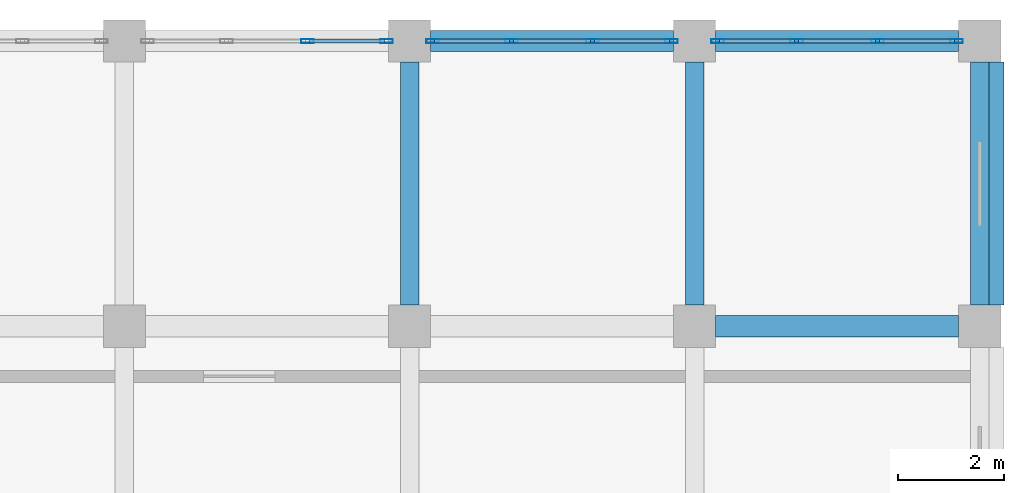
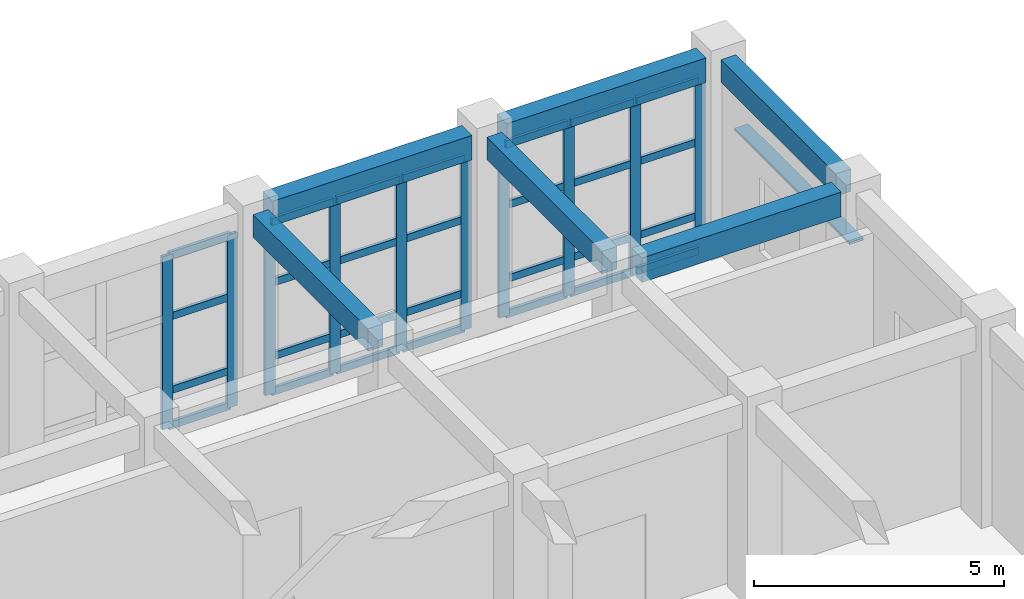
# One storey, part 54 of 93: 39 members, 6 beams, 3 elements without a shape of their own.
"""IFC4 building model written with IfcOpenShell, lengths in metres."""

import ifcopenshell
import ifcopenshell.guid

model = None  # the IFC model being written
_history = None  # IfcOwnerHistory: only IFC2X3 demands one
_inside = {}  # id of a spatial element -> (the spatial element, [elements in it])
_under = {}  # id of a project, library or spatial element -> (it, [spatial elements below it])
_declared = {}  # id of a project -> (the project, [libraries it declares])
_typed = {}  # id of a type object -> (the type object, [elements of that type])
_made_of = {}  # id of a material, layer set ... -> (it, [elements and type objects made of it])


def new_model(schema):
    """Start an empty IFC model of exactly this schema.

    Asked for "IFC4X3", IfcOpenShell would pick the latest addendum, in which some entities
    have other attributes; the version numbers below select the first issue.
    IFC2X3 requires an IfcOwnerHistory on every rooted entity: one is made here for all.
    """
    global model, _history
    if schema == "IFC4X3":
        model = ifcopenshell.file(schema_version=(4, 3, 0, 0))
    else:
        model = ifcopenshell.file(schema=schema)
    _inside.clear()
    _under.clear()
    _declared.clear()
    _typed.clear()
    _made_of.clear()
    _history = None
    if model.schema == "IFC2X3":
        org = make("IfcOrganization", Name="unknown")
        user = make(
            "IfcPersonAndOrganization",
            ThePerson=make("IfcPerson", FamilyName="unknown"),
            TheOrganization=org,
        )
        app = make(
            "IfcApplication",
            ApplicationDeveloper=org,
            Version="unknown",
            ApplicationFullName="unknown",
            ApplicationIdentifier="unknown",
        )
        _history = make(
            "IfcOwnerHistory",
            OwningUser=user,
            OwningApplication=app,
            ChangeAction="ADDED",
            CreationDate=0,
        )
    return model


def make(cls, **values):
    """One entity of the class cls with the attributes given. An attribute that is None is left unset."""
    return model.create_entity(
        cls, **{name: value for name, value in values.items() if value is not None}
    )


def rooted(cls, **values):
    """An entity with a GlobalId (a new one), such as an element, a storey or a relation."""
    return make(cls, GlobalId=ifcopenshell.guid.new(), OwnerHistory=_history, **values)


def si_unit(unit_type, name, prefix=None):
    """IfcSIUnit, for example si_unit("LENGTHUNIT", "METRE", prefix="MILLI")."""
    return make("IfcSIUnit", UnitType=unit_type, Prefix=prefix, Name=name)


def assignment(units):
    """IfcUnitAssignment: the units of a project."""
    return None if units is None else make("IfcUnitAssignment", Units=units)


def point(xyz):
    """IfcCartesianPoint."""
    return None if xyz is None else make("IfcCartesianPoint", Coordinates=xyz)


def direction(xyz):
    """IfcDirection."""
    return None if xyz is None else make("IfcDirection", DirectionRatios=xyz)


def frame(location, z_axis=None, x_axis=None):
    """IfcAxis2Placement3D, a coordinate frame: its origin and axes. An axis left out is left unset."""
    return make(
        "IfcAxis2Placement3D",
        Location=point(location),
        Axis=direction(z_axis),
        RefDirection=direction(x_axis),
    )


def frame_2d(location, x_axis=None):
    """IfcAxis2Placement2D, a coordinate frame in the plane: its origin and x axis."""
    return make(
        "IfcAxis2Placement2D", Location=point(location), RefDirection=direction(x_axis)
    )


def origin():
    """The frame at (0, 0, 0) with its axes left unset."""
    return frame((0.0, 0.0, 0.0))


def origin_2d():
    """The frame at (0, 0) in the plane with its x axis left unset."""
    return frame_2d((0.0, 0.0))


def place(relative_to, where):
    """IfcLocalPlacement: puts the frame where relative to a parent placement (None: the world)."""
    return make(
        "IfcLocalPlacement", PlacementRelTo=relative_to, RelativePlacement=where
    )


def context(
    kind, dimensions, precision=None, world=None, true_north=None, identifier=None
):
    """IfcGeometricRepresentationContext, for example the 3D "Model" context."""
    return make(
        "IfcGeometricRepresentationContext",
        ContextIdentifier=identifier,
        ContextType=kind,
        CoordinateSpaceDimension=dimensions,
        Precision=precision,
        WorldCoordinateSystem=world,
        TrueNorth=true_north,
    )


def subcontext(parent, identifier, kind, view, scale=None):
    """IfcGeometricRepresentationSubContext, for example "Body" below "Model"."""
    return make(
        "IfcGeometricRepresentationSubContext",
        ContextIdentifier=identifier,
        ContextType=kind,
        ParentContext=parent,
        TargetScale=scale,
        TargetView=view,
    )


def project(units=None, contexts=None):
    """IfcProject with its units and contexts."""
    return rooted(
        "IfcProject",
        Name="project",
        RepresentationContexts=contexts,
        UnitsInContext=assignment(units),
    )


def spatial(cls, under=None, at=None, **own):
    """A site, building, storey or space (cls), placed at a placement, below another one or the project."""
    s = rooted(cls, ObjectPlacement=at, **own)
    if under is not None:
        _under.setdefault(under.id(), (under, []))[1].append(s)
    return s


def profile(cls, at=None, kind="AREA", **sizes):
    """A parametric profile (cls). Its sizes go by their IFC names, for example OverallWidth=200.0."""
    return make(cls, ProfileType=kind, Position=at, **sizes)


def rectangle(**sizes):
    """IfcRectangleProfileDef."""
    return profile("IfcRectangleProfileDef", **sizes)


def hollow_rectangle(**sizes):
    """IfcRectangleHollowProfileDef."""
    return profile("IfcRectangleHollowProfileDef", **sizes)


def extrude(swept, where, along, depth):
    """IfcExtrudedAreaSolid: the profile swept, set in the frame where, extruded along a direction by depth."""
    return make(
        "IfcExtrudedAreaSolid",
        SweptArea=swept,
        Position=where,
        ExtrudedDirection=direction(along),
        Depth=depth,
    )


def shape(context_of_items, identifier, shape_type, items):
    """IfcShapeRepresentation: the items that make up one representation, for example the "Body"."""
    return make(
        "IfcShapeRepresentation",
        ContextOfItems=context_of_items,
        RepresentationIdentifier=identifier,
        RepresentationType=shape_type,
        Items=items,
    )


def material(Name=None, Category=None):
    """IfcMaterial."""
    return make("IfcMaterial", Name=Name, Category=Category)


def layer(
    of_material, thickness, ventilated=None, Name=None, Category=None, Priority=None
):
    """IfcMaterialLayer: one layer of a wall or slab, of a material (None: an air gap)."""
    return make(
        "IfcMaterialLayer",
        Material=of_material,
        LayerThickness=thickness,
        IsVentilated=ventilated,
        Name=Name,
        Category=Category,
        Priority=Priority,
    )


def layer_set(layers, Name=None):
    """IfcMaterialLayerSet."""
    return make("IfcMaterialLayerSet", MaterialLayers=layers, LayerSetName=Name)


def material_profile(
    of_material, cross_section, Name=None, Category=None, Priority=None
):
    """IfcMaterialProfile: a cross section and its material."""
    return make(
        "IfcMaterialProfile",
        Name=Name,
        Material=of_material,
        Profile=cross_section,
        Priority=Priority,
        Category=Category,
    )


def profile_set(profiles, Name=None, composite=None):
    """IfcMaterialProfileSet."""
    return make(
        "IfcMaterialProfileSet",
        Name=Name,
        MaterialProfiles=profiles,
        CompositeProfile=composite,
    )


def made_of(thing, what):
    """Note that an element or type object is made of a material, layer set ...; save() writes the relation."""
    if what is not None:
        _made_of.setdefault(what.id(), (what, []))[1].append(thing)
    return thing


def type_object(cls, material=None, **own):
    """A type object (cls), such as IfcWallType, which elements share."""
    return made_of(rooted(cls, **own), material)


def element(
    cls,
    number,
    at=None,
    inside=None,
    cuts=None,
    type_object=None,
    material=None,
    context=None,
    identifier="Body",
    shape_type=None,
    held_by="IfcProductDefinitionShape",
    body=None,
    shapes=None,
    **own,
):
    """One element of the class cls, such as IfcWall. Its Tag is "e" and its number.

    at: its placement. inside: the storey or other place that contains it. cuts: it is an
    opening in that element (IfcRelVoidsElement). A single representation is given by context,
    identifier, shape_type and body (its items); several are given by shapes. held_by: the class
    of the entity that holds the representations. save() writes the other relations.
    """
    e = rooted(cls, Tag="e%d" % number, ObjectPlacement=at, **own)
    if body is not None:
        shapes = [shape(context, identifier, shape_type, body)]
    if shapes is not None:
        e.Representation = make(held_by, Representations=shapes)
    if inside is not None:
        _inside.setdefault(inside.id(), (inside, []))[1].append(e)
    if cuts is not None:
        rooted(
            "IfcRelVoidsElement", RelatingBuildingElement=cuts, RelatedOpeningElement=e
        )
    if type_object is not None:
        _typed.setdefault(type_object.id(), (type_object, []))[1].append(e)
    return made_of(e, material)


def aggregate(whole, parts):
    """IfcRelAggregates: a whole, such as a stair, and the parts it consists of."""
    return rooted("IfcRelAggregates", RelatingObject=whole, RelatedObjects=parts)


def save(model, path):
    """Write the relations noted so far, then the file.

    IfcRelAggregates (storeys below a building ...), IfcRelContainedInSpatialStructure (elements
    in a storey), IfcRelDefinesByType, IfcRelAssociatesMaterial and IfcRelDeclares: one each for
    every whole, place, type object, material and project.
    """
    for whole, parts in _under.values():
        aggregate(whole, parts)
    for where, things in _inside.values():
        rooted(
            "IfcRelContainedInSpatialStructure",
            RelatedElements=things,
            RelatingStructure=where,
        )
    for kind, things in _typed.values():
        rooted("IfcRelDefinesByType", RelatedObjects=things, RelatingType=kind)
    for what, things in _made_of.values():
        rooted("IfcRelAssociatesMaterial", RelatedObjects=things, RelatingMaterial=what)
    for by, libraries in _declared.values():
        rooted("IfcRelDeclares", RelatingContext=by, RelatedDefinitions=libraries)
    model.write(path)


model = new_model("IFC4")

# Units and contexts
model_context = context("Model", 3, precision=1e-05, world=origin(), true_north=direction((0.0, 1.0)))
body_context = subcontext(model_context, "Body", "Model", "MODEL_VIEW")
ifc_project = project(units=[si_unit("LENGTHUNIT", "METRE"), si_unit("AREAUNIT", "SQUARE_METRE"), si_unit("VOLUMEUNIT", "CUBIC_METRE"), si_unit("PLANEANGLEUNIT", "RADIAN"), si_unit("MASSUNIT", "GRAM", prefix="KILO")], contexts=[model_context])

# Site, building, storey
site_placement = place(None, origin())
site = spatial("IfcSite", under=ifc_project, at=site_placement, CompositionType="ELEMENT")
building_placement = place(site_placement, origin())
building = spatial("IfcBuilding", under=site, at=building_placement, Name="Krzemoval Escarpment Law Courts", CompositionType="ELEMENT")
storey_placement = place(building_placement, frame((0.0, 0.0, 10.199951171875)))
storey = spatial("IfcBuildingStorey", under=building, at=storey_placement, Name="L02", CompositionType="ELEMENT", Elevation=10.199951171875)

# Beams
ifc_material_1 = material(Name="Concrete C40/50", Category="concrete")
ifc_material_profile_1 = material_profile(ifc_material_1, rectangle(XDim=0.35009765625, YDim=0.550048828125, at=origin_2d()), Name="RCB 350x550")
ifc_profile_set_1 = profile_set([ifc_material_profile_1], Name="Concrete C40/50")
beam_type_1 = type_object("IfcBeamType", Name="BM-RC-350x550", PredefinedType="BEAM", material=ifc_profile_set_1)
for number, where, z_axis, x_axis, name in (
    (1, (162.0, 113.800048828125, 4.545166015625), (0.0, 1.0, 0.0), (-1.0, 0.0, 0.0), "Beam FG-L02-2002"),
    (2, (167.39990234375, 113.800048828125, 4.545166015625), (0.0, 1.0, 0.0), (-1.0, 0.0, 0.0), "Beam FG-L02-2006"),
    (3, (172.800048828125, 113.800048828125, 4.545166015625), (0.0, 1.0, 0.0), (-1.0, 0.0, 0.0), "Beam FG-L02-2010"),
):
    element("IfcBeam", number, at=place(storey_placement, frame(where, z_axis=z_axis, x_axis=x_axis)), inside=storey, type_object=beam_type_1, Name=name, PredefinedType="BEAM", context=body_context, shape_type="SweptSolid", body=[
        extrude(rectangle(XDim=0.35009765625, YDim=0.550048828125, at=origin_2d()), origin(), (0.0, 0.0, 1.0), 4.599853515625),
    ])
ifc_material_2 = material(Name="Concrete C40/50", Category="concrete")
ifc_material_profile_2 = material_profile(ifc_material_2, rectangle(XDim=0.39990234375, YDim=0.60009765625, at=origin_2d()), Name="RCB 400x600")
ifc_profile_set_2 = profile_set([ifc_material_profile_2], Name="Concrete C40/50")
beam_type_2 = type_object("IfcBeamType", Name="BM-RC-400x600", PredefinedType="BEAM", material=ifc_profile_set_2)
beam_1_placement = place(storey_placement, frame((167.800048828125, 113.39990234375, 4.52001953125), z_axis=(1.0, 0.0, 0.0), x_axis=(0.0, 1.0, 0.0)))
element("IfcBeam", 4, at=beam_1_placement, inside=storey, type_object=beam_type_2, Name="Beam FG-L02-1845", PredefinedType="BEAM", context=body_context, shape_type="SweptSolid", body=[
    extrude(rectangle(XDim=0.39990234375, YDim=0.60009765625, at=origin_2d()), origin(), (0.0, 0.0, 1.0), 4.599853515625),
])
beam_2_placement = place(storey_placement, frame((162.39990234375, 118.800048828125, 4.52001953125), z_axis=(1.0, 0.0, 0.0), x_axis=(0.0, 1.0, 0.0)))
element("IfcBeam", 5, at=beam_2_placement, inside=storey, type_object=beam_type_2, Name="Beam FG-L02-1851", PredefinedType="BEAM", context=body_context, shape_type="SweptSolid", body=[
    extrude(rectangle(XDim=0.39990234375, YDim=0.60009765625, at=origin_2d()), origin(), (0.0, 0.0, 1.0), 4.60009765625),
])
beam_3_placement = place(storey_placement, frame((167.800048828125, 118.800048828125, 4.52001953125), z_axis=(1.0, 0.0, 0.0), x_axis=(0.0, 1.0, 0.0)))
element("IfcBeam", 6, at=beam_3_placement, inside=storey, type_object=beam_type_2, Name="Beam FG-L02-1852", PredefinedType="BEAM", context=body_context, shape_type="SweptSolid", body=[
    extrude(rectangle(XDim=0.39990234375, YDim=0.60009765625, at=origin_2d()), origin(), (0.0, 0.0, 1.0), 4.599853515625),
])

# Curtain wall, members
ifc_material_3 = material(Name="Aluminium 6063-T6", Category="aluminium")
ifc_layer = layer(ifc_material_3, 0.239990234375)
ifc_layer_set = layer_set([ifc_layer], Name="Aluminium 6063-T6")
curtain_wall_type = type_object("IfcCurtainWallType", Name="CW-CHMB-4800", PredefinedType="USERDEFINED", material=ifc_layer_set)
curtain_wall_1_placement = place(storey_placement, origin())
curtain_wall_1 = element("IfcCurtainWall", 7, at=curtain_wall_1_placement, inside=storey, type_object=curtain_wall_type, Name="Unitised Curtain Wall FCW-L02-089", ObjectType="UNITISED_CURTAIN_WALL", PredefinedType="USERDEFINED")
ifc_material_4 = material(Name="Aluminium 6063-T6", Category="aluminium")
ifc_material_profile_3 = material_profile(ifc_material_4, hollow_rectangle(XDim=0.074951171875, YDim=0.239990234375, WallThickness=0.0048828125, at=origin_2d()), Name="ALU M75x240")
ifc_profile_set_3 = profile_set([ifc_material_profile_3], Name="Aluminium 6063-T6")
member_type_1 = type_object("IfcMemberType", Name="CWM-75x240", PredefinedType="MULLION", material=ifc_profile_set_3)
member_1_placement = place(storey_placement, frame((160.066650390625, 118.800048828125, 0.0), z_axis=(0.0, 0.0, 1.0), x_axis=(0.0, 1.0, 0.0)))
member_1 = element("IfcMember", 8, at=member_1_placement, type_object=member_type_1, Name="FCW-L02-089 mullion 3", PredefinedType="MULLION", context=body_context, shape_type="SweptSolid", body=[
    extrude(hollow_rectangle(XDim=0.074951171875, YDim=0.239990234375, WallThickness=0.0048828125, at=origin_2d()), origin(), (0.0, 0.0, 1.0), 4.219970703125),
])
member_2_placement = place(storey_placement, frame((161.5625, 118.800048828125, 0.0), z_axis=(0.0, 0.0, 1.0), x_axis=(0.0, 1.0, 0.0)))
member_2 = element("IfcMember", 9, at=member_2_placement, type_object=member_type_1, Name="FCW-L02-089 mullion 4", PredefinedType="MULLION", context=body_context, shape_type="SweptSolid", body=[
    extrude(hollow_rectangle(XDim=0.074951171875, YDim=0.239990234375, WallThickness=0.0048828125, at=origin_2d()), origin(), (0.0, 0.0, 1.0), 4.219970703125),
])

curtain_wall_2_placement = place(storey_placement, origin())
curtain_wall_2 = element("IfcCurtainWall", 10, at=curtain_wall_2_placement, inside=storey, type_object=curtain_wall_type, Name="Unitised Curtain Wall FCW-L02-090", ObjectType="UNITISED_CURTAIN_WALL", PredefinedType="USERDEFINED")
member_3_placement = place(storey_placement, frame((162.4375, 118.800048828125, 0.0), z_axis=(0.0, 0.0, 1.0), x_axis=(0.0, 1.0, 0.0)))
member_3 = element("IfcMember", 11, at=member_3_placement, type_object=member_type_1, Name="FCW-L02-090 mullion 1", PredefinedType="MULLION", context=body_context, shape_type="SweptSolid", body=[
    extrude(hollow_rectangle(XDim=0.074951171875, YDim=0.239990234375, WallThickness=0.0048828125, at=origin_2d()), origin(), (0.0, 0.0, 1.0), 4.219970703125),
])
member_4_placement = place(storey_placement, frame((163.933349609375, 118.800048828125, 0.0), z_axis=(0.0, 0.0, 1.0), x_axis=(0.0, 1.0, 0.0)))
member_4 = element("IfcMember", 12, at=member_4_placement, type_object=member_type_1, Name="FCW-L02-090 mullion 2", PredefinedType="MULLION", context=body_context, shape_type="SweptSolid", body=[
    extrude(hollow_rectangle(XDim=0.074951171875, YDim=0.239990234375, WallThickness=0.0048828125, at=origin_2d()), origin(), (0.0, 0.0, 1.0), 4.219970703125),
])
member_5_placement = place(storey_placement, frame((165.466552734375, 118.800048828125, 0.0), z_axis=(0.0, 0.0, 1.0), x_axis=(0.0, 1.0, 0.0)))
member_5 = element("IfcMember", 13, at=member_5_placement, type_object=member_type_1, Name="FCW-L02-090 mullion 3", PredefinedType="MULLION", context=body_context, shape_type="SweptSolid", body=[
    extrude(hollow_rectangle(XDim=0.074951171875, YDim=0.239990234375, WallThickness=0.0048828125, at=origin_2d()), origin(), (0.0, 0.0, 1.0), 4.219970703125),
])
member_6_placement = place(storey_placement, frame((166.96240234375, 118.800048828125, 0.0), z_axis=(0.0, 0.0, 1.0), x_axis=(0.0, 1.0, 0.0)))
member_6 = element("IfcMember", 14, at=member_6_placement, type_object=member_type_1, Name="FCW-L02-090 mullion 4", PredefinedType="MULLION", context=body_context, shape_type="SweptSolid", body=[
    extrude(hollow_rectangle(XDim=0.074951171875, YDim=0.239990234375, WallThickness=0.0048828125, at=origin_2d()), origin(), (0.0, 0.0, 1.0), 4.219970703125),
])

curtain_wall_3_placement = place(storey_placement, origin())
curtain_wall_3 = element("IfcCurtainWall", 15, at=curtain_wall_3_placement, inside=storey, type_object=curtain_wall_type, Name="Unitised Curtain Wall FCW-L02-091", ObjectType="UNITISED_CURTAIN_WALL", PredefinedType="USERDEFINED")
member_7_placement = place(storey_placement, frame((167.83740234375, 118.800048828125, 0.0), z_axis=(0.0, 0.0, 1.0), x_axis=(0.0, 1.0, 0.0)))
member_7 = element("IfcMember", 16, at=member_7_placement, type_object=member_type_1, Name="FCW-L02-091 mullion 1", PredefinedType="MULLION", context=body_context, shape_type="SweptSolid", body=[
    extrude(hollow_rectangle(XDim=0.074951171875, YDim=0.239990234375, WallThickness=0.0048828125, at=origin_2d()), origin(), (0.0, 0.0, 1.0), 4.219970703125),
])
member_8_placement = place(storey_placement, frame((169.333251953125, 118.800048828125, 0.0), z_axis=(0.0, 0.0, 1.0), x_axis=(0.0, 1.0, 0.0)))
member_8 = element("IfcMember", 17, at=member_8_placement, type_object=member_type_1, Name="FCW-L02-091 mullion 2", PredefinedType="MULLION", context=body_context, shape_type="SweptSolid", body=[
    extrude(hollow_rectangle(XDim=0.074951171875, YDim=0.239990234375, WallThickness=0.0048828125, at=origin_2d()), origin(), (0.0, 0.0, 1.0), 4.219970703125),
])
member_9_placement = place(storey_placement, frame((170.86669921875, 118.800048828125, 0.0), z_axis=(0.0, 0.0, 1.0), x_axis=(0.0, 1.0, 0.0)))
member_9 = element("IfcMember", 18, at=member_9_placement, type_object=member_type_1, Name="FCW-L02-091 mullion 3", PredefinedType="MULLION", context=body_context, shape_type="SweptSolid", body=[
    extrude(hollow_rectangle(XDim=0.074951171875, YDim=0.239990234375, WallThickness=0.0048828125, at=origin_2d()), origin(), (0.0, 0.0, 1.0), 4.219970703125),
])
member_10_placement = place(storey_placement, frame((172.362548828125, 118.800048828125, 0.0), z_axis=(0.0, 0.0, 1.0), x_axis=(0.0, 1.0, 0.0)))
member_10 = element("IfcMember", 19, at=member_10_placement, type_object=member_type_1, Name="FCW-L02-091 mullion 4", PredefinedType="MULLION", context=body_context, shape_type="SweptSolid", body=[
    extrude(hollow_rectangle(XDim=0.074951171875, YDim=0.239990234375, WallThickness=0.0048828125, at=origin_2d()), origin(), (0.0, 0.0, 1.0), 4.219970703125),
])

# Member
ifc_material_5 = material(Name="Aluminium 6063-T6", Category="aluminium")
ifc_material_profile_4 = material_profile(ifc_material_5, hollow_rectangle(XDim=0.074951171875, YDim=0.179931640625, WallThickness=0.0048828125, at=origin_2d()), Name="ALU T75x180")
ifc_profile_set_4 = profile_set([ifc_material_profile_4], Name="Aluminium 6063-T6")
member_type_2 = type_object("IfcMemberType", Name="CWT-75x180", PredefinedType="USERDEFINED", material=ifc_profile_set_4)
member_11_placement = place(storey_placement, frame((160.104248046875, 118.800048828125, 0.03759765625), z_axis=(1.0, 0.0, 0.0), x_axis=(0.0, 1.0, 0.0)))
member_11 = element("IfcMember", 20, at=member_11_placement, type_object=member_type_2, Name="FCW-L02-089 transom 3.1", ObjectType="TRANSOM", PredefinedType="USERDEFINED", context=body_context, shape_type="SweptSolid", body=[
    extrude(hollow_rectangle(XDim=0.074951171875, YDim=0.179931640625, WallThickness=0.0048828125, at=origin_2d()), origin(), (0.0, 0.0, 1.0), 1.420654296875),
])

member_12_placement = place(storey_placement, frame((160.104248046875, 118.800048828125, 0.900146484375), z_axis=(1.0, 0.0, 0.0), x_axis=(0.0, 1.0, 0.0)))
member_12 = element("IfcMember", 21, at=member_12_placement, type_object=member_type_2, Name="FCW-L02-089 transom 3.2", ObjectType="TRANSOM", PredefinedType="USERDEFINED", context=body_context, shape_type="SweptSolid", body=[
    extrude(hollow_rectangle(XDim=0.074951171875, YDim=0.179931640625, WallThickness=0.0048828125, at=origin_2d()), origin(), (0.0, 0.0, 1.0), 1.420654296875),
])

member_13_placement = place(storey_placement, frame((160.104248046875, 118.800048828125, 2.699951171875), z_axis=(1.0, 0.0, 0.0), x_axis=(0.0, 1.0, 0.0)))
member_13 = element("IfcMember", 22, at=member_13_placement, type_object=member_type_2, Name="FCW-L02-089 transom 3.3", ObjectType="TRANSOM", PredefinedType="USERDEFINED", context=body_context, shape_type="SweptSolid", body=[
    extrude(hollow_rectangle(XDim=0.074951171875, YDim=0.179931640625, WallThickness=0.0048828125, at=origin_2d()), origin(), (0.0, 0.0, 1.0), 1.420654296875),
])

member_14_placement = place(storey_placement, frame((160.104248046875, 118.800048828125, 4.1826171875), z_axis=(1.0, 0.0, 0.0), x_axis=(0.0, 1.0, 0.0)))
member_14 = element("IfcMember", 23, at=member_14_placement, type_object=member_type_2, Name="FCW-L02-089 transom 3.4", ObjectType="TRANSOM", PredefinedType="USERDEFINED", context=body_context, shape_type="SweptSolid", body=[
    extrude(hollow_rectangle(XDim=0.074951171875, YDim=0.179931640625, WallThickness=0.0048828125, at=origin_2d()), origin(), (0.0, 0.0, 1.0), 1.420654296875),
])

aggregate(curtain_wall_1, [member_1, member_2, member_11, member_12, member_13, member_14])

member_15_placement = place(storey_placement, frame((162.47509765625, 118.800048828125, 0.03759765625), z_axis=(1.0, 0.0, 0.0), x_axis=(0.0, 1.0, 0.0)))
member_15 = element("IfcMember", 24, at=member_15_placement, type_object=member_type_2, Name="FCW-L02-090 transom 1.1", ObjectType="TRANSOM", PredefinedType="USERDEFINED", context=body_context, shape_type="SweptSolid", body=[
    extrude(hollow_rectangle(XDim=0.074951171875, YDim=0.179931640625, WallThickness=0.0048828125, at=origin_2d()), origin(), (0.0, 0.0, 1.0), 1.420654296875),
])

member_16_placement = place(storey_placement, frame((162.47509765625, 118.800048828125, 0.900146484375), z_axis=(1.0, 0.0, 0.0), x_axis=(0.0, 1.0, 0.0)))
member_16 = element("IfcMember", 25, at=member_16_placement, type_object=member_type_2, Name="FCW-L02-090 transom 1.2", ObjectType="TRANSOM", PredefinedType="USERDEFINED", context=body_context, shape_type="SweptSolid", body=[
    extrude(hollow_rectangle(XDim=0.074951171875, YDim=0.179931640625, WallThickness=0.0048828125, at=origin_2d()), origin(), (0.0, 0.0, 1.0), 1.420654296875),
])

member_17_placement = place(storey_placement, frame((162.47509765625, 118.800048828125, 2.699951171875), z_axis=(1.0, 0.0, 0.0), x_axis=(0.0, 1.0, 0.0)))
member_17 = element("IfcMember", 26, at=member_17_placement, type_object=member_type_2, Name="FCW-L02-090 transom 1.3", ObjectType="TRANSOM", PredefinedType="USERDEFINED", context=body_context, shape_type="SweptSolid", body=[
    extrude(hollow_rectangle(XDim=0.074951171875, YDim=0.179931640625, WallThickness=0.0048828125, at=origin_2d()), origin(), (0.0, 0.0, 1.0), 1.420654296875),
])

member_18_placement = place(storey_placement, frame((162.47509765625, 118.800048828125, 4.1826171875), z_axis=(1.0, 0.0, 0.0), x_axis=(0.0, 1.0, 0.0)))
member_18 = element("IfcMember", 27, at=member_18_placement, type_object=member_type_2, Name="FCW-L02-090 transom 1.4", ObjectType="TRANSOM", PredefinedType="USERDEFINED", context=body_context, shape_type="SweptSolid", body=[
    extrude(hollow_rectangle(XDim=0.074951171875, YDim=0.179931640625, WallThickness=0.0048828125, at=origin_2d()), origin(), (0.0, 0.0, 1.0), 1.420654296875),
])

member_19_placement = place(storey_placement, frame((163.970947265625, 118.800048828125, 0.03759765625), z_axis=(1.0, 0.0, 0.0), x_axis=(0.0, 1.0, 0.0)))
member_19 = element("IfcMember", 28, at=member_19_placement, type_object=member_type_2, Name="FCW-L02-090 transom 2.1", ObjectType="TRANSOM", PredefinedType="USERDEFINED", context=body_context, shape_type="SweptSolid", body=[
    extrude(hollow_rectangle(XDim=0.074951171875, YDim=0.179931640625, WallThickness=0.0048828125, at=origin_2d()), origin(), (0.0, 0.0, 1.0), 1.458251953125),
])

member_20_placement = place(storey_placement, frame((163.970947265625, 118.800048828125, 0.900146484375), z_axis=(1.0, 0.0, 0.0), x_axis=(0.0, 1.0, 0.0)))
member_20 = element("IfcMember", 29, at=member_20_placement, type_object=member_type_2, Name="FCW-L02-090 transom 2.2", ObjectType="TRANSOM", PredefinedType="USERDEFINED", context=body_context, shape_type="SweptSolid", body=[
    extrude(hollow_rectangle(XDim=0.074951171875, YDim=0.179931640625, WallThickness=0.0048828125, at=origin_2d()), origin(), (0.0, 0.0, 1.0), 1.458251953125),
])

member_21_placement = place(storey_placement, frame((163.970947265625, 118.800048828125, 2.699951171875), z_axis=(1.0, 0.0, 0.0), x_axis=(0.0, 1.0, 0.0)))
member_21 = element("IfcMember", 30, at=member_21_placement, type_object=member_type_2, Name="FCW-L02-090 transom 2.3", ObjectType="TRANSOM", PredefinedType="USERDEFINED", context=body_context, shape_type="SweptSolid", body=[
    extrude(hollow_rectangle(XDim=0.074951171875, YDim=0.179931640625, WallThickness=0.0048828125, at=origin_2d()), origin(), (0.0, 0.0, 1.0), 1.458251953125),
])

member_22_placement = place(storey_placement, frame((163.970947265625, 118.800048828125, 4.1826171875), z_axis=(1.0, 0.0, 0.0), x_axis=(0.0, 1.0, 0.0)))
member_22 = element("IfcMember", 31, at=member_22_placement, type_object=member_type_2, Name="FCW-L02-090 transom 2.4", ObjectType="TRANSOM", PredefinedType="USERDEFINED", context=body_context, shape_type="SweptSolid", body=[
    extrude(hollow_rectangle(XDim=0.074951171875, YDim=0.179931640625, WallThickness=0.0048828125, at=origin_2d()), origin(), (0.0, 0.0, 1.0), 1.458251953125),
])

member_23_placement = place(storey_placement, frame((165.504150390625, 118.800048828125, 0.03759765625), z_axis=(1.0, 0.0, 0.0), x_axis=(0.0, 1.0, 0.0)))
member_23 = element("IfcMember", 32, at=member_23_placement, type_object=member_type_2, Name="FCW-L02-090 transom 3.1", ObjectType="TRANSOM", PredefinedType="USERDEFINED", context=body_context, shape_type="SweptSolid", body=[
    extrude(hollow_rectangle(XDim=0.074951171875, YDim=0.179931640625, WallThickness=0.0048828125, at=origin_2d()), origin(), (0.0, 0.0, 1.0), 1.4208984375),
])

member_24_placement = place(storey_placement, frame((165.504150390625, 118.800048828125, 0.900146484375), z_axis=(1.0, 0.0, 0.0), x_axis=(0.0, 1.0, 0.0)))
member_24 = element("IfcMember", 33, at=member_24_placement, type_object=member_type_2, Name="FCW-L02-090 transom 3.2", ObjectType="TRANSOM", PredefinedType="USERDEFINED", context=body_context, shape_type="SweptSolid", body=[
    extrude(hollow_rectangle(XDim=0.074951171875, YDim=0.179931640625, WallThickness=0.0048828125, at=origin_2d()), origin(), (0.0, 0.0, 1.0), 1.4208984375),
])

member_25_placement = place(storey_placement, frame((165.504150390625, 118.800048828125, 2.699951171875), z_axis=(1.0, 0.0, 0.0), x_axis=(0.0, 1.0, 0.0)))
member_25 = element("IfcMember", 34, at=member_25_placement, type_object=member_type_2, Name="FCW-L02-090 transom 3.3", ObjectType="TRANSOM", PredefinedType="USERDEFINED", context=body_context, shape_type="SweptSolid", body=[
    extrude(hollow_rectangle(XDim=0.074951171875, YDim=0.179931640625, WallThickness=0.0048828125, at=origin_2d()), origin(), (0.0, 0.0, 1.0), 1.4208984375),
])

member_26_placement = place(storey_placement, frame((165.504150390625, 118.800048828125, 4.1826171875), z_axis=(1.0, 0.0, 0.0), x_axis=(0.0, 1.0, 0.0)))
member_26 = element("IfcMember", 35, at=member_26_placement, type_object=member_type_2, Name="FCW-L02-090 transom 3.4", ObjectType="TRANSOM", PredefinedType="USERDEFINED", context=body_context, shape_type="SweptSolid", body=[
    extrude(hollow_rectangle(XDim=0.074951171875, YDim=0.179931640625, WallThickness=0.0048828125, at=origin_2d()), origin(), (0.0, 0.0, 1.0), 1.4208984375),
])

aggregate(curtain_wall_2, [member_3, member_4, member_5, member_6, member_15, member_16, member_17, member_18, member_19, member_20, member_21, member_22, member_23, member_24, member_25, member_26])

member_27_placement = place(storey_placement, frame((167.875, 118.800048828125, 0.03759765625), z_axis=(1.0, 0.0, 0.0), x_axis=(0.0, 1.0, 0.0)))
member_27 = element("IfcMember", 36, at=member_27_placement, type_object=member_type_2, Name="FCW-L02-091 transom 1.1", ObjectType="TRANSOM", PredefinedType="USERDEFINED", context=body_context, shape_type="SweptSolid", body=[
    extrude(hollow_rectangle(XDim=0.074951171875, YDim=0.179931640625, WallThickness=0.0048828125, at=origin_2d()), origin(), (0.0, 0.0, 1.0), 1.4208984375),
])

member_28_placement = place(storey_placement, frame((167.875, 118.800048828125, 0.900146484375), z_axis=(1.0, 0.0, 0.0), x_axis=(0.0, 1.0, 0.0)))
member_28 = element("IfcMember", 37, at=member_28_placement, type_object=member_type_2, Name="FCW-L02-091 transom 1.2", ObjectType="TRANSOM", PredefinedType="USERDEFINED", context=body_context, shape_type="SweptSolid", body=[
    extrude(hollow_rectangle(XDim=0.074951171875, YDim=0.179931640625, WallThickness=0.0048828125, at=origin_2d()), origin(), (0.0, 0.0, 1.0), 1.4208984375),
])

member_29_placement = place(storey_placement, frame((167.875, 118.800048828125, 2.699951171875), z_axis=(1.0, 0.0, 0.0), x_axis=(0.0, 1.0, 0.0)))
member_29 = element("IfcMember", 38, at=member_29_placement, type_object=member_type_2, Name="FCW-L02-091 transom 1.3", ObjectType="TRANSOM", PredefinedType="USERDEFINED", context=body_context, shape_type="SweptSolid", body=[
    extrude(hollow_rectangle(XDim=0.074951171875, YDim=0.179931640625, WallThickness=0.0048828125, at=origin_2d()), origin(), (0.0, 0.0, 1.0), 1.4208984375),
])

member_30_placement = place(storey_placement, frame((167.875, 118.800048828125, 4.1826171875), z_axis=(1.0, 0.0, 0.0), x_axis=(0.0, 1.0, 0.0)))
member_30 = element("IfcMember", 39, at=member_30_placement, type_object=member_type_2, Name="FCW-L02-091 transom 1.4", ObjectType="TRANSOM", PredefinedType="USERDEFINED", context=body_context, shape_type="SweptSolid", body=[
    extrude(hollow_rectangle(XDim=0.074951171875, YDim=0.179931640625, WallThickness=0.0048828125, at=origin_2d()), origin(), (0.0, 0.0, 1.0), 1.4208984375),
])

member_31_placement = place(storey_placement, frame((169.370849609375, 118.800048828125, 0.03759765625), z_axis=(1.0, 0.0, 0.0), x_axis=(0.0, 1.0, 0.0)))
member_31 = element("IfcMember", 40, at=member_31_placement, type_object=member_type_2, Name="FCW-L02-091 transom 2.1", ObjectType="TRANSOM", PredefinedType="USERDEFINED", context=body_context, shape_type="SweptSolid", body=[
    extrude(hollow_rectangle(XDim=0.074951171875, YDim=0.179931640625, WallThickness=0.0048828125, at=origin_2d()), origin(), (0.0, 0.0, 1.0), 1.458251953125),
])

member_32_placement = place(storey_placement, frame((169.370849609375, 118.800048828125, 0.900146484375), z_axis=(1.0, 0.0, 0.0), x_axis=(0.0, 1.0, 0.0)))
member_32 = element("IfcMember", 41, at=member_32_placement, type_object=member_type_2, Name="FCW-L02-091 transom 2.2", ObjectType="TRANSOM", PredefinedType="USERDEFINED", context=body_context, shape_type="SweptSolid", body=[
    extrude(hollow_rectangle(XDim=0.074951171875, YDim=0.179931640625, WallThickness=0.0048828125, at=origin_2d()), origin(), (0.0, 0.0, 1.0), 1.458251953125),
])

member_33_placement = place(storey_placement, frame((169.370849609375, 118.800048828125, 2.699951171875), z_axis=(1.0, 0.0, 0.0), x_axis=(0.0, 1.0, 0.0)))
member_33 = element("IfcMember", 42, at=member_33_placement, type_object=member_type_2, Name="FCW-L02-091 transom 2.3", ObjectType="TRANSOM", PredefinedType="USERDEFINED", context=body_context, shape_type="SweptSolid", body=[
    extrude(hollow_rectangle(XDim=0.074951171875, YDim=0.179931640625, WallThickness=0.0048828125, at=origin_2d()), origin(), (0.0, 0.0, 1.0), 1.458251953125),
])

member_34_placement = place(storey_placement, frame((169.370849609375, 118.800048828125, 4.1826171875), z_axis=(1.0, 0.0, 0.0), x_axis=(0.0, 1.0, 0.0)))
member_34 = element("IfcMember", 43, at=member_34_placement, type_object=member_type_2, Name="FCW-L02-091 transom 2.4", ObjectType="TRANSOM", PredefinedType="USERDEFINED", context=body_context, shape_type="SweptSolid", body=[
    extrude(hollow_rectangle(XDim=0.074951171875, YDim=0.179931640625, WallThickness=0.0048828125, at=origin_2d()), origin(), (0.0, 0.0, 1.0), 1.458251953125),
])

member_35_placement = place(storey_placement, frame((170.904052734375, 118.800048828125, 0.03759765625), z_axis=(1.0, 0.0, 0.0), x_axis=(0.0, 1.0, 0.0)))
member_35 = element("IfcMember", 44, at=member_35_placement, type_object=member_type_2, Name="FCW-L02-091 transom 3.1", ObjectType="TRANSOM", PredefinedType="USERDEFINED", context=body_context, shape_type="SweptSolid", body=[
    extrude(hollow_rectangle(XDim=0.074951171875, YDim=0.179931640625, WallThickness=0.0048828125, at=origin_2d()), origin(), (0.0, 0.0, 1.0), 1.4208984375),
])

member_36_placement = place(storey_placement, frame((170.904052734375, 118.800048828125, 0.900146484375), z_axis=(1.0, 0.0, 0.0), x_axis=(0.0, 1.0, 0.0)))
member_36 = element("IfcMember", 45, at=member_36_placement, type_object=member_type_2, Name="FCW-L02-091 transom 3.2", ObjectType="TRANSOM", PredefinedType="USERDEFINED", context=body_context, shape_type="SweptSolid", body=[
    extrude(hollow_rectangle(XDim=0.074951171875, YDim=0.179931640625, WallThickness=0.0048828125, at=origin_2d()), origin(), (0.0, 0.0, 1.0), 1.4208984375),
])

member_37_placement = place(storey_placement, frame((170.904052734375, 118.800048828125, 2.699951171875), z_axis=(1.0, 0.0, 0.0), x_axis=(0.0, 1.0, 0.0)))
member_37 = element("IfcMember", 46, at=member_37_placement, type_object=member_type_2, Name="FCW-L02-091 transom 3.3", ObjectType="TRANSOM", PredefinedType="USERDEFINED", context=body_context, shape_type="SweptSolid", body=[
    extrude(hollow_rectangle(XDim=0.074951171875, YDim=0.179931640625, WallThickness=0.0048828125, at=origin_2d()), origin(), (0.0, 0.0, 1.0), 1.4208984375),
])

member_38_placement = place(storey_placement, frame((170.904052734375, 118.800048828125, 4.1826171875), z_axis=(1.0, 0.0, 0.0), x_axis=(0.0, 1.0, 0.0)))
member_38 = element("IfcMember", 47, at=member_38_placement, type_object=member_type_2, Name="FCW-L02-091 transom 3.4", ObjectType="TRANSOM", PredefinedType="USERDEFINED", context=body_context, shape_type="SweptSolid", body=[
    extrude(hollow_rectangle(XDim=0.074951171875, YDim=0.179931640625, WallThickness=0.0048828125, at=origin_2d()), origin(), (0.0, 0.0, 1.0), 1.4208984375),
])

aggregate(curtain_wall_3, [member_7, member_8, member_9, member_10, member_27, member_28, member_29, member_30, member_31, member_32, member_33, member_34, member_35, member_36, member_37, member_38])

ifc_material_6 = material(Name="Anodised Aluminium Alloy 6063-T6", Category="aluminium")
ifc_material_profile_5 = material_profile(ifc_material_6, hollow_rectangle(XDim=0.06005859375, YDim=0.320068359375, WallThickness=0.00390625, at=origin_2d()), Name="ALU LVR 60x320")
ifc_profile_set_5 = profile_set([ifc_material_profile_5], Name="Anodised Aluminium Alloy 6063-T6")
member_type_3 = type_object("IfcMemberType", Name="LVR-ALU-320", PredefinedType="USERDEFINED", material=ifc_profile_set_5)
member_39_placement = place(storey_placement, frame((173.10009765625, 118.39990234375, 3.010009765625), z_axis=(0.0, -1.0, 0.0), x_axis=(0.0, 0.0, 1.0)))
element("IfcMember", 48, at=member_39_placement, inside=storey, type_object=member_type_3, Name="Window Sunshade Louvre FLV-L02-0559", ObjectType="SUNSHADE_LOUVRE", PredefinedType="USERDEFINED", context=body_context, shape_type="SweptSolid", body=[
    extrude(hollow_rectangle(XDim=0.06005859375, YDim=0.320068359375, WallThickness=0.00390625, at=origin_2d()), origin(), (0.0, 0.0, 1.0), 4.599853515625),
])

save(model, "model.ifc")
